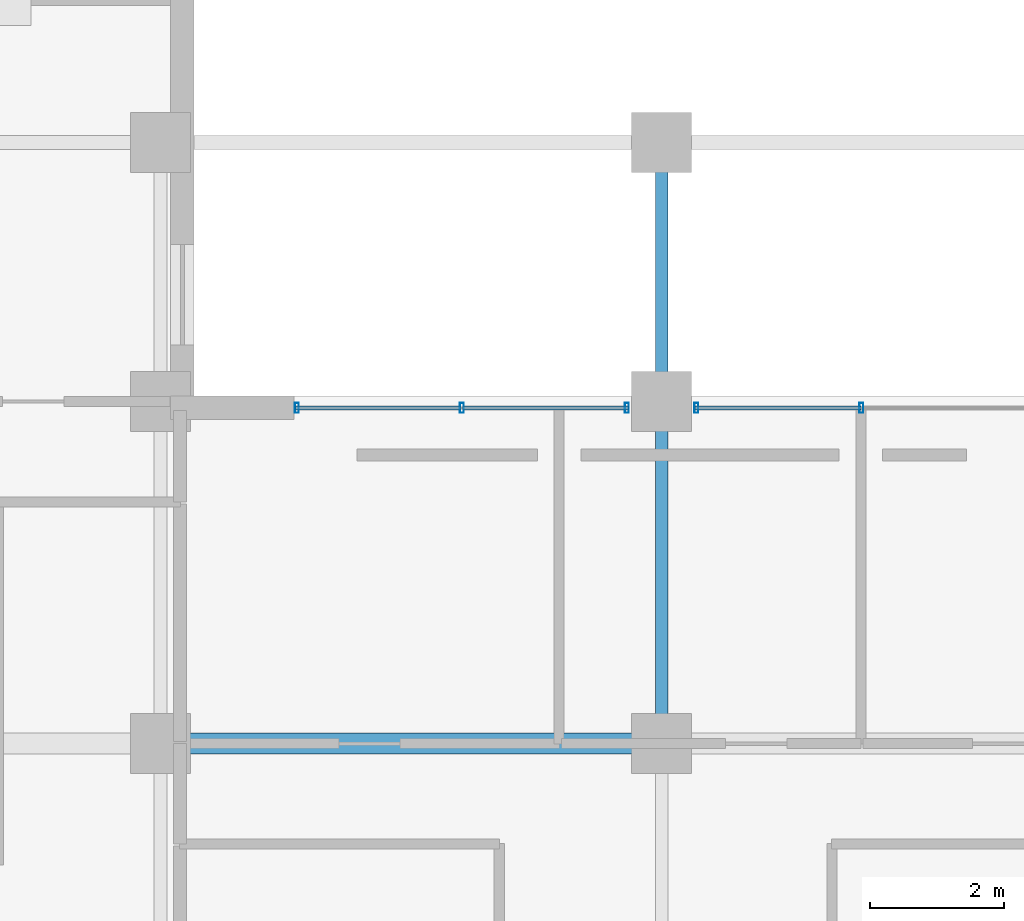
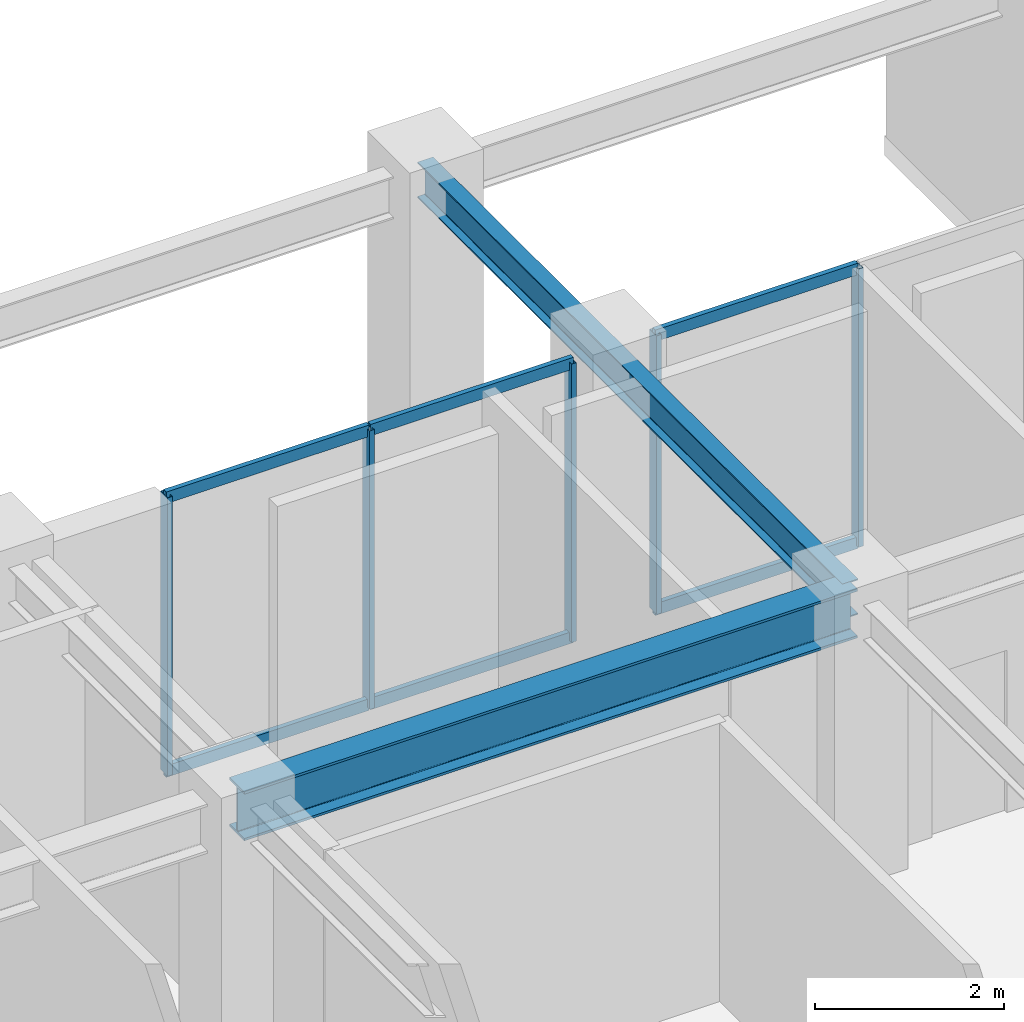
# One storey, part 3 of 14: 11 members, 2 beams, 2 elements without a shape of their own.
"""IFC4 building model written with IfcOpenShell, lengths in metres."""

from ifc_helpers import new_model, si_unit, direction, frame, origin, origin_2d, place, context, subcontext, project, spatial, hollow_rectangle, i_section, extrude, material, material_profile, profile_set, type_object, element, aggregate, save


model = new_model("IFC4")

# Units and contexts
model_context = context("Model", 3, precision=1e-05, world=origin(), true_north=direction((0.0, 1.0)))
body_context = subcontext(model_context, "Body", "Model", "MODEL_VIEW")
ifc_project = project(units=[si_unit("LENGTHUNIT", "METRE"), si_unit("AREAUNIT", "SQUARE_METRE"), si_unit("VOLUMEUNIT", "CUBIC_METRE"), si_unit("PLANEANGLEUNIT", "RADIAN"), si_unit("MASSUNIT", "GRAM", prefix="KILO")], contexts=[model_context])

# Site, building, storey
site_placement = place(None, origin())
site = spatial("IfcSite", under=ifc_project, at=site_placement, CompositionType="ELEMENT")
building_placement = place(site_placement, origin())
building = spatial("IfcBuilding", under=site, at=building_placement, Name="Ventersveld Concourse Tower", CompositionType="ELEMENT")
storey_placement = place(building_placement, frame((0.0, 0.0, 81.050048828125)))
storey = spatial("IfcBuildingStorey", under=building, at=storey_placement, Name="L19", CompositionType="ELEMENT", Elevation=81.050048828125)

# Beam
ifc_material_1 = material(Name="Structural steel S355J2", Category="steel")
ifc_material_profile_1 = material_profile(ifc_material_1, i_section(OverallWidth=0.19140625, OverallDepth=0.4599609375, WebThickness=0.010009765625, FlangeThickness=0.01611328125, FilletRadius=0.01025390625, at=origin_2d()), Name="UB 457x191x82")
ifc_profile_set_1 = profile_set([ifc_material_profile_1], Name="Structural steel S355J2")
beam_type_1 = type_object("IfcBeamType", Name="BM-UB457H", PredefinedType="BEAM", material=ifc_profile_set_1)
beam_1_placement = place(storey_placement, frame((28.75, 35.0, 3.369873046875), z_axis=(0.0, 1.0, 0.0), x_axis=(-1.0, 0.0, 0.0)))
element("IfcBeam", 1, at=beam_1_placement, inside=storey, type_object=beam_type_1, Name="L19 N-S Composite Floor Beam North X=28.75", PredefinedType="BEAM", context=body_context, shape_type="SweptSolid", body=[
    extrude(i_section(OverallWidth=0.19140625, OverallDepth=0.4599609375, WebThickness=0.010009765625, FlangeThickness=0.01611328125, FilletRadius=0.01025390625, at=origin_2d()), origin(), (0.0, 0.0, 1.0), 9.0),
])

# Curtain wall, members
ifc_material_2 = material(Name="Anodised aluminium EN AW-6063-T6", Category="aluminium")
curtain_wall_type = type_object("IfcCurtainWallType", Name="CW-SG-4", PredefinedType="NOTDEFINED", material=ifc_material_2)
curtain_wall_1_placement = place(storey_placement, origin())
curtain_wall_1 = element("IfcCurtainWall", 2, at=curtain_wall_1_placement, inside=storey, type_object=curtain_wall_type, Name="L19 L19 Sky Garden Recessed Curtain Wall", PredefinedType="NOTDEFINED")
ifc_material_profile_2 = material_profile(ifc_material_2, hollow_rectangle(XDim=0.06005859375, YDim=0.14990234375, WallThickness=0.00390625, at=origin_2d()), Name="ALU 150x60x4")
ifc_profile_set_2 = profile_set([ifc_material_profile_2], Name="Anodised aluminium EN AW-6063-T6")
member_type_1 = type_object("IfcMemberType", Name="CWM-150x65", PredefinedType="MULLION", material=ifc_profile_set_2)
member_1_placement = place(storey_placement, frame((23.2900390625, 40.02490234375, 0.0), z_axis=(0.0, 0.0, 1.0), x_axis=(1.0, 0.0, 0.0)))
member_1 = element("IfcMember", 3, at=member_1_placement, type_object=member_type_1, Name="CW-L19-SG-S1 Mullion 01", PredefinedType="MULLION", context=body_context, shape_type="SweptSolid", body=[
    extrude(hollow_rectangle(XDim=0.06005859375, YDim=0.14990234375, WallThickness=0.00390625, at=origin_2d()), origin(), (0.0, 0.0, 1.0), 3.599853515625),
])
member_2_placement = place(storey_placement, frame((25.760009765625, 40.02490234375, 0.0), z_axis=(0.0, 0.0, 1.0), x_axis=(1.0, 0.0, 0.0)))
member_2 = element("IfcMember", 4, at=member_2_placement, type_object=member_type_1, Name="CW-L19-SG-S1 Mullion 02", PredefinedType="MULLION", context=body_context, shape_type="SweptSolid", body=[
    extrude(hollow_rectangle(XDim=0.06005859375, YDim=0.14990234375, WallThickness=0.00390625, at=origin_2d()), origin(), (0.0, 0.0, 1.0), 3.599853515625),
])
member_3_placement = place(storey_placement, frame((28.22998046875, 40.02490234375, 0.0), z_axis=(0.0, 0.0, 1.0), x_axis=(1.0, 0.0, 0.0)))
member_3 = element("IfcMember", 5, at=member_3_placement, type_object=member_type_1, Name="CW-L19-SG-S1 Mullion 03", PredefinedType="MULLION", context=body_context, shape_type="SweptSolid", body=[
    extrude(hollow_rectangle(XDim=0.06005859375, YDim=0.14990234375, WallThickness=0.00390625, at=origin_2d()), origin(), (0.0, 0.0, 1.0), 3.599853515625),
])

curtain_wall_2_placement = place(storey_placement, origin())
curtain_wall_2 = element("IfcCurtainWall", 6, at=curtain_wall_2_placement, inside=storey, type_object=curtain_wall_type, Name="L19 L19 Sky Garden Recessed Curtain Wall", PredefinedType="NOTDEFINED")
member_4_placement = place(storey_placement, frame((29.27001953125, 40.02490234375, 0.0), z_axis=(0.0, 0.0, 1.0), x_axis=(1.0, 0.0, 0.0)))
member_4 = element("IfcMember", 7, at=member_4_placement, type_object=member_type_1, Name="CW-L19-SG-S2 Mullion 01", PredefinedType="MULLION", context=body_context, shape_type="SweptSolid", body=[
    extrude(hollow_rectangle(XDim=0.06005859375, YDim=0.14990234375, WallThickness=0.00390625, at=origin_2d()), origin(), (0.0, 0.0, 1.0), 3.599853515625),
])
member_5_placement = place(storey_placement, frame((31.739990234375, 40.02490234375, 0.0), z_axis=(0.0, 0.0, 1.0), x_axis=(1.0, 0.0, 0.0)))
member_5 = element("IfcMember", 8, at=member_5_placement, type_object=member_type_1, Name="CW-L19-SG-S2 Mullion 02", PredefinedType="MULLION", context=body_context, shape_type="SweptSolid", body=[
    extrude(hollow_rectangle(XDim=0.06005859375, YDim=0.14990234375, WallThickness=0.00390625, at=origin_2d()), origin(), (0.0, 0.0, 1.0), 3.599853515625),
])

# Member
ifc_material_profile_3 = material_profile(ifc_material_2, hollow_rectangle(XDim=0.06005859375, YDim=0.14990234375, WallThickness=0.00390625, at=origin_2d()), Name="ALU 150x60x4")
ifc_profile_set_3 = profile_set([ifc_material_profile_3], Name="Anodised aluminium EN AW-6063-T6")
member_type_2 = type_object("IfcMemberType", Name="CWT-150x60", PredefinedType="USERDEFINED", material=ifc_profile_set_3)
member_6_placement = place(storey_placement, frame((23.27001953125, 40.02490234375, 0.030029296875), z_axis=(1.0, 0.0, 0.0), x_axis=(0.0, 1.0, 0.0)))
member_6 = element("IfcMember", 9, at=member_6_placement, type_object=member_type_2, Name="CW-L19-SG-S1 Transom 1-01", ObjectType="TRANSOM", PredefinedType="USERDEFINED", context=body_context, shape_type="SweptSolid", body=[
    extrude(hollow_rectangle(XDim=0.06005859375, YDim=0.14990234375, WallThickness=0.00390625, at=origin_2d()), origin(), (0.0, 0.0, 1.0), 2.47998046875),
])

member_7_placement = place(storey_placement, frame((25.77001953125, 40.02490234375, 0.030029296875), z_axis=(1.0, 0.0, 0.0), x_axis=(0.0, 1.0, 0.0)))
member_7 = element("IfcMember", 10, at=member_7_placement, type_object=member_type_2, Name="CW-L19-SG-S1 Transom 1-02", ObjectType="TRANSOM", PredefinedType="USERDEFINED", context=body_context, shape_type="SweptSolid", body=[
    extrude(hollow_rectangle(XDim=0.06005859375, YDim=0.14990234375, WallThickness=0.00390625, at=origin_2d()), origin(), (0.0, 0.0, 1.0), 2.47998046875),
])

member_8_placement = place(storey_placement, frame((23.27001953125, 40.02490234375, 3.570068359375), z_axis=(1.0, 0.0, 0.0), x_axis=(0.0, 1.0, 0.0)))
member_8 = element("IfcMember", 11, at=member_8_placement, type_object=member_type_2, Name="CW-L19-SG-S1 Transom 2-01", ObjectType="TRANSOM", PredefinedType="USERDEFINED", context=body_context, shape_type="SweptSolid", body=[
    extrude(hollow_rectangle(XDim=0.06005859375, YDim=0.14990234375, WallThickness=0.00390625, at=origin_2d()), origin(), (0.0, 0.0, 1.0), 2.47998046875),
])

member_9_placement = place(storey_placement, frame((25.77001953125, 40.02490234375, 3.570068359375), z_axis=(1.0, 0.0, 0.0), x_axis=(0.0, 1.0, 0.0)))
member_9 = element("IfcMember", 12, at=member_9_placement, type_object=member_type_2, Name="CW-L19-SG-S1 Transom 2-02", ObjectType="TRANSOM", PredefinedType="USERDEFINED", context=body_context, shape_type="SweptSolid", body=[
    extrude(hollow_rectangle(XDim=0.06005859375, YDim=0.14990234375, WallThickness=0.00390625, at=origin_2d()), origin(), (0.0, 0.0, 1.0), 2.47998046875),
])

aggregate(curtain_wall_1, [member_1, member_2, member_3, member_6, member_7, member_8, member_9])

member_10_placement = place(storey_placement, frame((29.25, 40.02490234375, 0.030029296875), z_axis=(1.0, 0.0, 0.0), x_axis=(0.0, 1.0, 0.0)))
member_10 = element("IfcMember", 13, at=member_10_placement, type_object=member_type_2, Name="CW-L19-SG-S2 Transom 1-01", ObjectType="TRANSOM", PredefinedType="USERDEFINED", context=body_context, shape_type="SweptSolid", body=[
    extrude(hollow_rectangle(XDim=0.06005859375, YDim=0.14990234375, WallThickness=0.00390625, at=origin_2d()), origin(), (0.0, 0.0, 1.0), 2.47998046875),
])

member_11_placement = place(storey_placement, frame((29.25, 40.02490234375, 3.570068359375), z_axis=(1.0, 0.0, 0.0), x_axis=(0.0, 1.0, 0.0)))
member_11 = element("IfcMember", 14, at=member_11_placement, type_object=member_type_2, Name="CW-L19-SG-S2 Transom 2-01", ObjectType="TRANSOM", PredefinedType="USERDEFINED", context=body_context, shape_type="SweptSolid", body=[
    extrude(hollow_rectangle(XDim=0.06005859375, YDim=0.14990234375, WallThickness=0.00390625, at=origin_2d()), origin(), (0.0, 0.0, 1.0), 2.47998046875),
])

aggregate(curtain_wall_2, [member_4, member_5, member_10, member_11])

# Beam
ifc_material_profile_4 = material_profile(ifc_material_1, i_section(OverallWidth=0.311279296875, OverallDepth=0.6357421875, WebThickness=0.018310546875, FlangeThickness=0.031494140625, FilletRadius=0.0166015625, at=origin_2d()), Name="UB 610x305x238")
ifc_profile_set_4 = profile_set([ifc_material_profile_4], Name="Structural steel S355J2")
beam_type_2 = type_object("IfcBeamType", Name="GRD-UB610H", PredefinedType="USERDEFINED", material=ifc_profile_set_4)
beam_2_placement = place(storey_placement, frame((21.25, 35.0, 3.281982421875), z_axis=(1.0, 0.0, 0.0), x_axis=(0.0, 1.0, 0.0)))
element("IfcBeam", 15, at=beam_2_placement, inside=storey, type_object=beam_type_2, Name="L19 E-W Grid Girder Y=35.00 #3", ObjectType="GIRDER", PredefinedType="USERDEFINED", context=body_context, shape_type="SweptSolid", body=[
    extrude(i_section(OverallWidth=0.311279296875, OverallDepth=0.6357421875, WebThickness=0.018310546875, FlangeThickness=0.031494140625, FilletRadius=0.0166015625, at=origin_2d()), origin(), (0.0, 0.0, 1.0), 7.5),
])

save(model, "model.ifc")
